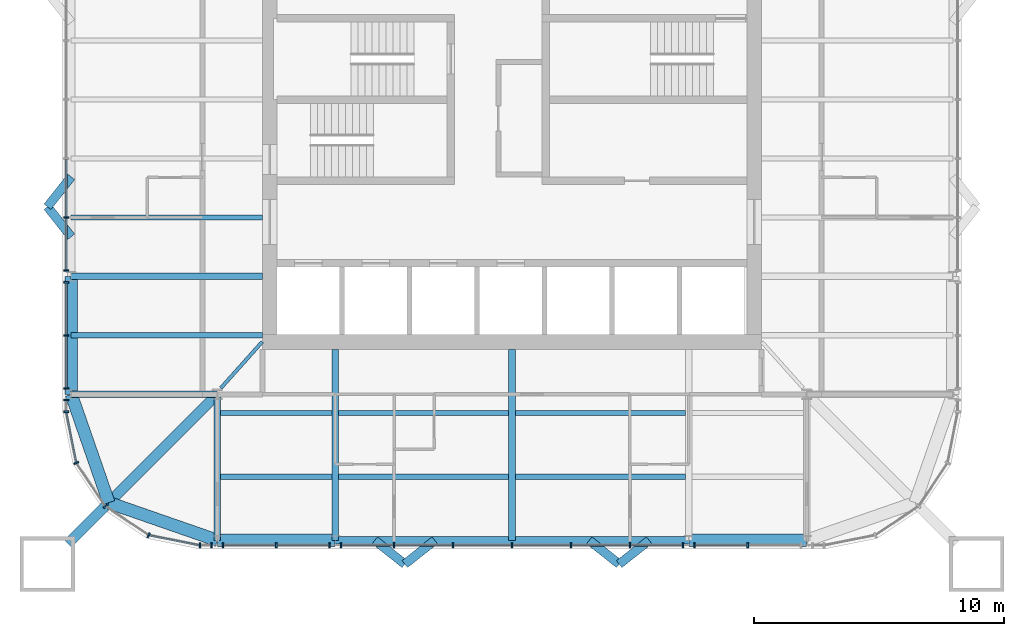
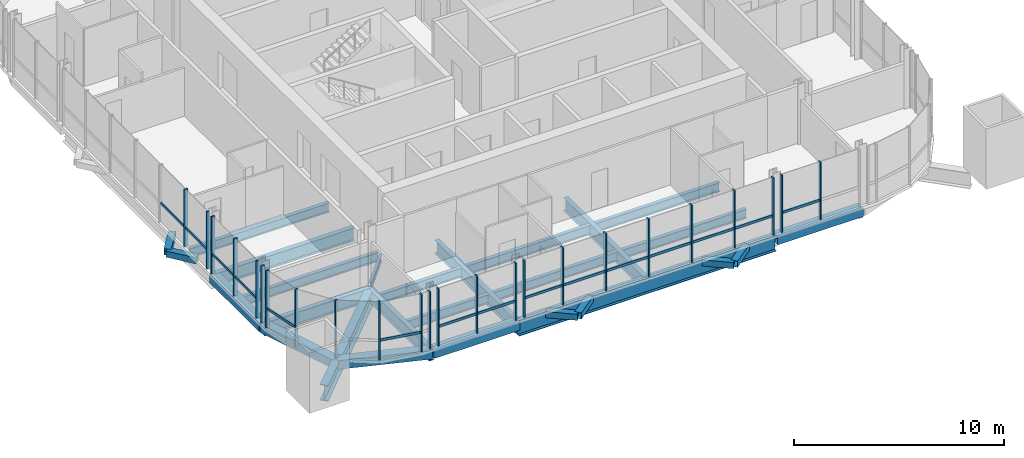
# One storey, part 2 of 17: 39 members, 27 beams, 8 elements without a shape of their own.
"""IFC4 building model written with IfcOpenShell, lengths in metres."""

from ifc_helpers import new_model, si_unit, direction, frame, origin, origin_2d, place, context, subcontext, project, spatial, rectangle, hollow_rectangle, i_section, extrude, material, material_profile, profile_set, type_object, element, aggregate, save


model = new_model("IFC4")

# Units and contexts
model_context = context("Model", 3, precision=1e-05, world=origin(), true_north=direction((0.0, 1.0)))
body_context = subcontext(model_context, "Body", "Model", "MODEL_VIEW")
ifc_project = project(units=[si_unit("LENGTHUNIT", "METRE"), si_unit("AREAUNIT", "SQUARE_METRE"), si_unit("VOLUMEUNIT", "CUBIC_METRE"), si_unit("PLANEANGLEUNIT", "RADIAN"), si_unit("MASSUNIT", "GRAM", prefix="KILO")], contexts=[model_context])

# Site, building, storey
site_placement = place(None, origin())
site = spatial("IfcSite", under=ifc_project, at=site_placement, CompositionType="ELEMENT")
building_placement = place(site_placement, origin())
building = spatial("IfcBuilding", under=site, at=building_placement, Name="Turquesa Mirador Hotel Tower", CompositionType="ELEMENT")
storey_placement = place(building_placement, frame((0.0, 0.0, 254.699951171875)))
storey = spatial("IfcBuildingStorey", under=building, at=storey_placement, Name="L69", CompositionType="ELEMENT", Elevation=254.699951171875)

# Beams
ifc_material_1 = material(Name="Steel ASTM A572 Grade 50", Category="steel")
ifc_material_profile_1 = material_profile(ifc_material_1, hollow_rectangle(XDim=0.5, YDim=0.5, WallThickness=0.01611328125, at=origin_2d()), Name="BOX500X500X16")
ifc_profile_set_1 = profile_set([ifc_material_profile_1], Name="Steel ASTM A572 Grade 50")
beam_type_1 = type_object("IfcBeamType", Name="BEAM BOX500X500X16", PredefinedType="BEAM", material=ifc_profile_set_1)
for number, where, z_axis, x_axis, name in (
    (1, (43.199951171875, 27.35009765625, -0.419921875), (1.0, 0.0, 0.0), (0.0, 1.0, 0.0), "EB-L69-S-L"),
    (2, (62.080078125, 27.35009765625, -0.419921875), (1.0, 0.0, 0.0), (0.0, 1.0, 0.0), "EB-L69-S-R"),
    (3, (37.35009765625, 33.199951171875, -0.419921875), (0.0, 1.0, 0.0), (-1.0, 0.0, 0.0), "EB-L69-W-L"),
):
    element("IfcBeam", number, at=place(storey_placement, frame(where, z_axis=z_axis, x_axis=x_axis)), inside=storey, type_object=beam_type_1, Name=name, PredefinedType="BEAM", context=body_context, shape_type="SweptSolid", body=[
        extrude(hollow_rectangle(XDim=0.5, YDim=0.5, WallThickness=0.01611328125, at=origin_2d()), origin(), (0.0, 0.0, 1.0), 4.719970703125),
    ])
for number, where, z_axis, x_axis, name in (
    (4, (37.35009765625, 33.199951171875, -0.419921875), (0.328170356092, -0.944618556552, 0.0), (0.944618556552, 0.328170356092, 0.0), "KE-L69-3-0"),
    (5, (38.8583984375, 28.8583984375, -0.419921875), (0.944618556552, -0.328170356092, 0.0), (0.328170356092, 0.944618556552, 0.0), "KE-L69-3-1"),
):
    element("IfcBeam", number, at=place(storey_placement, frame(where, z_axis=z_axis, x_axis=x_axis)), inside=storey, type_object=beam_type_1, Name=name, PredefinedType="BEAM", context=body_context, shape_type="SweptSolid", body=[
        extrude(hollow_rectangle(XDim=0.5, YDim=0.5, WallThickness=0.01611328125, at=origin_2d()), origin(), (0.0, 0.0, 1.0), 4.59619140625),
    ])
ifc_material_2 = material(Name="Steel ASTM A992 Grade 50", Category="steel")
ifc_material_profile_2 = material_profile(ifc_material_2, i_section(OverallWidth=0.140380859375, OverallDepth=0.40380859375, WebThickness=0.007080078125, FlangeThickness=0.01123046875, at=origin_2d()), Name="W16X31")
ifc_profile_set_2 = profile_set([ifc_material_profile_2], Name="Steel ASTM A992 Grade 50")
beam_type_2 = type_object("IfcBeamType", Name="BEAM W16X31", PredefinedType="BEAM", material=ifc_profile_set_2)
beam_1_placement = place(storey_placement, frame((43.343505859375, 33.44873046875, -0.371826171875), z_axis=(0.666806350186, 0.745231032198, 0.0), x_axis=(-0.745231032198, 0.666806350186, 0.0)))
element("IfcBeam", 6, at=beam_1_placement, inside=storey, type_object=beam_type_2, Name="KT-L69-3", PredefinedType="BEAM", context=body_context, shape_type="SweptSolid", body=[
    extrude(i_section(OverallWidth=0.140380859375, OverallDepth=0.40380859375, WebThickness=0.007080078125, FlangeThickness=0.01123046875, at=origin_2d()), origin(), (0.0, 0.0, 1.0), 2.484130859375),
])
ifc_material_3 = material(Name="Steel ASTM A992 Grade 50", Category="steel")
ifc_material_profile_3 = material_profile(ifc_material_3, i_section(OverallWidth=0.209228515625, OverallDepth=0.533447265625, WebThickness=0.01025390625, FlangeThickness=0.015625, at=origin_2d()), Name="W21X62")
ifc_profile_set_3 = profile_set([ifc_material_profile_3], Name="Steel ASTM A992 Grade 50")
beam_type_3 = type_object("IfcBeamType", Name="BEAM W21X62", PredefinedType="BEAM", material=ifc_profile_set_3)
beam_2_placement = place(storey_placement, frame((43.333251953125, 32.449951171875, -0.436767578125), z_axis=(1.0, 0.0, 0.0), x_axis=(0.0, 1.0, 0.0)))
element("IfcBeam", 7, at=beam_2_placement, inside=storey, type_object=beam_type_3, Name="IB-L69-S-1-0", PredefinedType="BEAM", context=body_context, shape_type="SweptSolid", body=[
    extrude(i_section(OverallWidth=0.209228515625, OverallDepth=0.533447265625, WebThickness=0.01025390625, FlangeThickness=0.015625, at=origin_2d()), origin(), (0.0, 0.0, 1.0), 4.453369140625),
])
for number, where, z_axis, x_axis, name in (
    (8, (48.053466796875, 32.449951171875, -0.436767578125), (1.0, 0.0, 0.0), (0.0, 1.0, 0.0), "IB-L69-S-1-1"),
    (9, (55.13330078125, 32.449951171875, -0.436767578125), (1.0, 0.0, 0.0), (0.0, 1.0, 0.0), "IB-L69-S-1-2"),
):
    element("IfcBeam", number, at=place(storey_placement, frame(where, z_axis=z_axis, x_axis=x_axis)), inside=storey, type_object=beam_type_3, Name=name, PredefinedType="BEAM", context=body_context, shape_type="SweptSolid", body=[
        extrude(i_section(OverallWidth=0.209228515625, OverallDepth=0.533447265625, WebThickness=0.01025390625, FlangeThickness=0.015625, at=origin_2d()), origin(), (0.0, 0.0, 1.0), 6.813232421875),
    ])
beam_3_placement = place(storey_placement, frame((43.333251953125, 29.89990234375, -0.436767578125), z_axis=(1.0, 0.0, 0.0), x_axis=(0.0, 1.0, 0.0)))
element("IfcBeam", 10, at=beam_3_placement, inside=storey, type_object=beam_type_3, Name="IB-L69-S-2-0", PredefinedType="BEAM", context=body_context, shape_type="SweptSolid", body=[
    extrude(i_section(OverallWidth=0.209228515625, OverallDepth=0.533447265625, WebThickness=0.01025390625, FlangeThickness=0.015625, at=origin_2d()), origin(), (0.0, 0.0, 1.0), 4.453369140625),
])
for number, where, z_axis, x_axis, name in (
    (11, (48.053466796875, 29.89990234375, -0.436767578125), (1.0, 0.0, 0.0), (0.0, 1.0, 0.0), "IB-L69-S-2-1"),
    (12, (55.13330078125, 29.89990234375, -0.436767578125), (1.0, 0.0, 0.0), (0.0, 1.0, 0.0), "IB-L69-S-2-2"),
):
    element("IfcBeam", number, at=place(storey_placement, frame(where, z_axis=z_axis, x_axis=x_axis)), inside=storey, type_object=beam_type_3, Name=name, PredefinedType="BEAM", context=body_context, shape_type="SweptSolid", body=[
        extrude(i_section(OverallWidth=0.209228515625, OverallDepth=0.533447265625, WebThickness=0.01025390625, FlangeThickness=0.015625, at=origin_2d()), origin(), (0.0, 0.0, 1.0), 6.813232421875),
    ])
for number, where, z_axis, x_axis, name in (
    (13, (37.35009765625, 35.56005859375, -0.436767578125), (1.0, 0.0, 0.0), (0.0, 1.0, 0.0), "BM-L69-W--9.44"),
    (14, (37.35009765625, 40.280029296875, -0.436767578125), (1.0, 0.0, 0.0), (0.0, 1.0, 0.0), "BM-L69-W--4.72"),
):
    element("IfcBeam", number, at=place(storey_placement, frame(where, z_axis=z_axis, x_axis=x_axis)), inside=storey, type_object=beam_type_3, Name=name, PredefinedType="BEAM", context=body_context, shape_type="SweptSolid", body=[
        extrude(i_section(OverallWidth=0.209228515625, OverallDepth=0.533447265625, WebThickness=0.01025390625, FlangeThickness=0.015625, at=origin_2d()), origin(), (0.0, 0.0, 1.0), 7.64990234375),
    ])
ifc_material_4 = material(Name="Steel ASTM A992 Grade 50", Category="steel")
ifc_material_profile_4 = material_profile(ifc_material_4, i_section(OverallWidth=0.2666015625, OverallDepth=0.7568359375, WebThickness=0.013916015625, FlangeThickness=0.019287109375, at=origin_2d()), Name="W30X108")
ifc_profile_set_4 = profile_set([ifc_material_profile_4], Name="Steel ASTM A992 Grade 50")
beam_type_4 = type_object("IfcBeamType", Name="BEAM W30X108", PredefinedType="BEAM", material=ifc_profile_set_4)
for number, where, z_axis, x_axis, name in (
    (15, (47.919921875, 27.35009765625, -0.54833984375), (0.0, 1.0, 0.0), (-1.0, 0.0, 0.0), "GD-L69-S--7.08"),
    (16, (55.0, 27.35009765625, -0.54833984375), (0.0, 1.0, 0.0), (-1.0, 0.0, 0.0), "GD-L69-S-+0.00"),
):
    element("IfcBeam", number, at=place(storey_placement, frame(where, z_axis=z_axis, x_axis=x_axis)), inside=storey, type_object=beam_type_4, Name=name, PredefinedType="BEAM", context=body_context, shape_type="SweptSolid", body=[
        extrude(i_section(OverallWidth=0.2666015625, OverallDepth=0.7568359375, WebThickness=0.013916015625, FlangeThickness=0.019287109375, at=origin_2d()), origin(), (0.0, 0.0, 1.0), 7.64990234375),
    ])
beam_4_placement = place(storey_placement, frame((43.199951171875, 27.35009765625, -0.54833984375), z_axis=(0.0, 1.0, 0.0), x_axis=(-1.0, 0.0, 0.0)))
element("IfcBeam", 17, at=beam_4_placement, inside=storey, type_object=beam_type_4, Name="GK-L69-S--11.80", PredefinedType="BEAM", context=body_context, shape_type="SweptSolid", body=[
    extrude(i_section(OverallWidth=0.2666015625, OverallDepth=0.7568359375, WebThickness=0.013916015625, FlangeThickness=0.019287109375, at=origin_2d()), origin(), (0.0, 0.0, 1.0), 5.849853515625),
])
beam_5_placement = place(storey_placement, frame((37.35009765625, 37.919921875, -0.54833984375), z_axis=(1.0, 0.0, 0.0), x_axis=(0.0, 1.0, 0.0)))
element("IfcBeam", 18, at=beam_5_placement, inside=storey, type_object=beam_type_4, Name="GD-L69-W--7.08", PredefinedType="BEAM", context=body_context, shape_type="SweptSolid", body=[
    extrude(i_section(OverallWidth=0.2666015625, OverallDepth=0.7568359375, WebThickness=0.013916015625, FlangeThickness=0.019287109375, at=origin_2d()), origin(), (0.0, 0.0, 1.0), 7.64990234375),
])
beam_6_placement = place(storey_placement, frame((37.35009765625, 33.199951171875, -0.54833984375), z_axis=(1.0, 0.0, 0.0), x_axis=(0.0, 1.0, 0.0)))
element("IfcBeam", 19, at=beam_6_placement, inside=storey, type_object=beam_type_4, Name="GK-L69-W--11.80", PredefinedType="BEAM", context=body_context, shape_type="SweptSolid", body=[
    extrude(i_section(OverallWidth=0.2666015625, OverallDepth=0.7568359375, WebThickness=0.013916015625, FlangeThickness=0.019287109375, at=origin_2d()), origin(), (0.0, 0.0, 1.0), 5.849853515625),
])
ifc_material_5 = material(Name="Steel ASTM A992 Grade 50", Category="steel")
ifc_material_profile_5 = material_profile(ifc_material_5, i_section(OverallWidth=0.3046875, OverallDepth=0.911865234375, WebThickness=0.015869140625, FlangeThickness=0.02392578125, at=origin_2d()), Name="W36X150")
ifc_profile_set_5 = profile_set([ifc_material_profile_5], Name="Steel ASTM A992 Grade 50")
beam_type_5 = type_object("IfcBeamType", Name="BEAM W36X150", PredefinedType="BEAM", material=ifc_profile_set_5)
beam_7_placement = place(storey_placement, frame((47.919921875, 27.35009765625, -0.6259765625), z_axis=(1.0, 0.0, 0.0), x_axis=(0.0, 1.0, 0.0)))
element("IfcBeam", 20, at=beam_7_placement, inside=storey, type_object=beam_type_5, Name="EB-L69-S-C", PredefinedType="BEAM", context=body_context, shape_type="SweptSolid", body=[
    extrude(i_section(OverallWidth=0.3046875, OverallDepth=0.911865234375, WebThickness=0.015869140625, FlangeThickness=0.02392578125, at=origin_2d()), origin(), (0.0, 0.0, 1.0), 14.16015625),
])
ifc_material_6 = material(Name="Steel ASTM A992 Grade 50", Category="steel")
ifc_material_profile_6 = material_profile(ifc_material_6, i_section(OverallWidth=0.419189453125, OverallDepth=0.927001953125, WebThickness=0.019287109375, FlangeThickness=0.031982421875, at=origin_2d()), Name="W36X231")
ifc_profile_set_6 = profile_set([ifc_material_profile_6], Name="Steel ASTM A992 Grade 50")
beam_type_6 = type_object("IfcBeamType", Name="BEAM W36X231", PredefinedType="BEAM", material=ifc_profile_set_6)
beam_8_placement = place(storey_placement, frame((43.199951171875, 33.199951171875, -0.633544921875), z_axis=(-0.707106781187, -0.707106781187, 0.0), x_axis=(0.707106781187, -0.707106781187, 0.0)))
element("IfcBeam", 21, at=beam_8_placement, inside=storey, type_object=beam_type_6, Name="KD-L69-3", PredefinedType="BEAM", context=body_context, shape_type="SweptSolid", body=[
    extrude(i_section(OverallWidth=0.419189453125, OverallDepth=0.927001953125, WebThickness=0.019287109375, FlangeThickness=0.031982421875, at=origin_2d()), origin(), (0.0, 0.0, 1.0), 8.46240234375),
])
ifc_material_7 = material(Name="Steel ASTM A500 Grade C", Category="steel")
ifc_material_profile_7 = material_profile(ifc_material_7, hollow_rectangle(XDim=0.355712890625, YDim=0.355712890625, WallThickness=0.0146484375, at=origin_2d()), Name="HSS14X14X5/8")
ifc_profile_set_7 = profile_set([ifc_material_profile_7], Name="Steel ASTM A500 Grade C")
beam_type_7 = type_object("IfcBeamType", Name="BRACE STRUT HSS14X14X5/8", PredefinedType="BEAM", material=ifc_profile_set_7)
for number, where, z_axis, x_axis, name in (
    (22, (59.292236328125, 26.39990234375, -0.34765625), (-0.783971428146, 0.620796907089, 0.0), (-0.620796907089, -0.783971428146, 0.0), "Brace strut"),
    (23, (59.292236328125, 26.39990234375, -0.34765625), (0.783971428146, 0.620796907089, 0.0), (-0.620796907089, 0.783971428146, 0.0), "Brace strut"),
    (24, (50.707763671875, 26.39990234375, -0.34765625), (-0.783971428146, 0.620796907089, 0.0), (-0.620796907089, -0.783971428146, 0.0), "Brace strut"),
    (25, (50.707763671875, 26.39990234375, -0.34765625), (0.783971428146, 0.620796907089, 0.0), (-0.620796907089, 0.783971428146, 0.0), "Brace strut"),
    (26, (36.39990234375, 40.707763671875, -0.34765625), (0.620796907089, -0.783971428146, 0.0), (0.783971428146, 0.620796907089, 0.0), "Brace strut"),
    (27, (36.39990234375, 40.707763671875, -0.34765625), (0.620796907089, 0.783971428146, 0.0), (-0.783971428146, 0.620796907089, 0.0), "Brace strut"),
):
    element("IfcBeam", number, at=place(storey_placement, frame(where, z_axis=z_axis, x_axis=x_axis)), inside=storey, type_object=beam_type_7, Name=name, PredefinedType="BEAM", context=body_context, shape_type="SweptSolid", body=[
        extrude(hollow_rectangle(XDim=0.355712890625, YDim=0.355712890625, WallThickness=0.0146484375, at=origin_2d()), origin(), (0.0, 0.0, 1.0), 1.530517578125),
    ])

# Curtain wall, members
ifc_material_8 = material(Name="Aluminium extrusion", Category="aluminium")
curtain_wall_type = type_object("IfcCurtainWallType", Name="CW-4 SUITE FRITTED CURTAIN WALL", PredefinedType="USERDEFINED", material=ifc_material_8)
curtain_wall_1_placement = place(storey_placement, origin())
curtain_wall_1 = element("IfcCurtainWall", 28, at=curtain_wall_1_placement, inside=storey, type_object=curtain_wall_type, Name="CW-4 SUITE FRITTED CURTAIN WALL L69", ObjectType="CURTAIN WALL", PredefinedType="USERDEFINED")
ifc_material_9 = material(Name="Aluminium extrusion", Category="aluminium")
ifc_material_profile_8 = material_profile(ifc_material_9, rectangle(XDim=0.06494140625, YDim=0.199951171875, at=origin_2d()), Name="MULLION 65X200")
ifc_profile_set_8 = profile_set([ifc_material_profile_8], Name="Aluminium extrusion")
member_type_1 = type_object("IfcMemberType", Name="CW MULLION 65X200", PredefinedType="MULLION", material=ifc_profile_set_8)
member_1_placement = place(storey_placement, frame((37.14990234375, 40.280029296875, 0.0), z_axis=(0.0, 0.0, 1.0), x_axis=(0.0, -1.0, 0.0)))
member_1 = element("IfcMember", 29, at=member_1_placement, type_object=member_type_1, Name="Mullion", PredefinedType="MULLION", context=body_context, shape_type="SweptSolid", body=[
    extrude(rectangle(XDim=0.06494140625, YDim=0.199951171875, at=origin_2d()), origin(), (0.0, 0.0, 1.0), 3.330078125),
])
member_2_placement = place(storey_placement, frame((37.14990234375, 38.15380859375, 0.0), z_axis=(0.0, 0.0, 1.0), x_axis=(0.0, -1.0, 0.0)))
member_2 = element("IfcMember", 30, at=member_2_placement, type_object=member_type_1, Name="Mullion", PredefinedType="MULLION", context=body_context, shape_type="SweptSolid", body=[
    extrude(rectangle(XDim=0.06494140625, YDim=0.199951171875, at=origin_2d()), origin(), (0.0, 0.0, 1.0), 3.330078125),
])

curtain_wall_2_placement = place(storey_placement, origin())
curtain_wall_2 = element("IfcCurtainWall", 31, at=curtain_wall_2_placement, inside=storey, type_object=curtain_wall_type, Name="CW-4 SUITE FRITTED CURTAIN WALL L69", ObjectType="CURTAIN WALL", PredefinedType="USERDEFINED")
member_3_placement = place(storey_placement, frame((37.14990234375, 37.68603515625, 0.0), z_axis=(0.0, 0.0, 1.0), x_axis=(0.0, -1.0, 0.0)))
member_3 = element("IfcMember", 32, at=member_3_placement, type_object=member_type_1, Name="Mullion", PredefinedType="MULLION", context=body_context, shape_type="SweptSolid", body=[
    extrude(rectangle(XDim=0.06494140625, YDim=0.199951171875, at=origin_2d()), origin(), (0.0, 0.0, 1.0), 3.330078125),
])
member_4_placement = place(storey_placement, frame((37.14990234375, 35.56005859375, 0.0), z_axis=(0.0, 0.0, 1.0), x_axis=(0.0, -1.0, 0.0)))
member_4 = element("IfcMember", 33, at=member_4_placement, type_object=member_type_1, Name="Mullion", PredefinedType="MULLION", context=body_context, shape_type="SweptSolid", body=[
    extrude(rectangle(XDim=0.06494140625, YDim=0.199951171875, at=origin_2d()), origin(), (0.0, 0.0, 1.0), 3.330078125),
])
member_5_placement = place(storey_placement, frame((37.14990234375, 33.433837890625, 0.0), z_axis=(0.0, 0.0, 1.0), x_axis=(0.0, -1.0, 0.0)))
member_5 = element("IfcMember", 34, at=member_5_placement, type_object=member_type_1, Name="Mullion", PredefinedType="MULLION", context=body_context, shape_type="SweptSolid", body=[
    extrude(rectangle(XDim=0.06494140625, YDim=0.199951171875, at=origin_2d()), origin(), (0.0, 0.0, 1.0), 3.330078125),
])

curtain_wall_3_placement = place(storey_placement, origin())
curtain_wall_3 = element("IfcCurtainWall", 35, at=curtain_wall_3_placement, inside=storey, type_object=curtain_wall_type, Name="CW-4 SUITE FRITTED CURTAIN WALL L69", ObjectType="CURTAIN WALL", PredefinedType="USERDEFINED")
member_6_placement = place(storey_placement, frame((37.14990234375, 32.966064453125, 0.0), z_axis=(0.0, 0.0, 1.0), x_axis=(0.0, -1.0, 0.0)))
member_6 = element("IfcMember", 36, at=member_6_placement, type_object=member_type_1, Name="Mullion", PredefinedType="MULLION", context=body_context, shape_type="SweptSolid", body=[
    extrude(rectangle(XDim=0.06494140625, YDim=0.199951171875, at=origin_2d()), origin(), (0.0, 0.0, 1.0), 3.330078125),
])
member_7_placement = place(storey_placement, frame((37.14990234375, 32.5, 0.0), z_axis=(0.0, 0.0, 1.0), x_axis=(0.0, -1.0, 0.0)))
member_7 = element("IfcMember", 37, at=member_7_placement, type_object=member_type_1, Name="Mullion", PredefinedType="MULLION", context=body_context, shape_type="SweptSolid", body=[
    extrude(rectangle(XDim=0.06494140625, YDim=0.199951171875, at=origin_2d()), origin(), (0.0, 0.0, 1.0), 3.330078125),
])
aggregate(curtain_wall_3, [member_6, member_7])

curtain_wall_4_placement = place(storey_placement, origin())
curtain_wall_4 = element("IfcCurtainWall", 38, at=curtain_wall_4_placement, inside=storey, type_object=curtain_wall_type, Name="CW-4 SUITE FRITTED CURTAIN WALL L69", ObjectType="CURTAIN WALL", PredefinedType="USERDEFINED")
member_8_placement = place(storey_placement, frame((37.55712890625, 30.45263671875, 0.0), z_axis=(0.0, 0.0, 1.0), x_axis=(0.382683432365, -0.923879532511, 0.0)))
member_8 = element("IfcMember", 39, at=member_8_placement, type_object=member_type_1, Name="Mullion", PredefinedType="MULLION", context=body_context, shape_type="SweptSolid", body=[
    extrude(rectangle(XDim=0.06494140625, YDim=0.199951171875, at=origin_2d()), origin(), (0.0, 0.0, 1.0), 3.330078125),
])
member_9_placement = place(storey_placement, frame((38.717041015625, 28.717041015625, 0.0), z_axis=(0.0, 0.0, 1.0), x_axis=(0.707106781187, -0.707106781187, 0.0)))
member_9 = element("IfcMember", 40, at=member_9_placement, type_object=member_type_1, Name="Mullion", PredefinedType="MULLION", context=body_context, shape_type="SweptSolid", body=[
    extrude(rectangle(XDim=0.06494140625, YDim=0.199951171875, at=origin_2d()), origin(), (0.0, 0.0, 1.0), 3.330078125),
])
member_10_placement = place(storey_placement, frame((40.45263671875, 27.55712890625, 0.0), z_axis=(0.0, 0.0, 1.0), x_axis=(0.923879532511, -0.382683432365, 0.0)))
member_10 = element("IfcMember", 41, at=member_10_placement, type_object=member_type_1, Name="Mullion", PredefinedType="MULLION", context=body_context, shape_type="SweptSolid", body=[
    extrude(rectangle(XDim=0.06494140625, YDim=0.199951171875, at=origin_2d()), origin(), (0.0, 0.0, 1.0), 3.330078125),
])

curtain_wall_5_placement = place(storey_placement, origin())
curtain_wall_5 = element("IfcCurtainWall", 42, at=curtain_wall_5_placement, inside=storey, type_object=curtain_wall_type, Name="CW-4 SUITE FRITTED CURTAIN WALL L69", ObjectType="CURTAIN WALL", PredefinedType="USERDEFINED")
member_11_placement = place(storey_placement, frame((42.5, 27.14990234375, 0.0), z_axis=(0.0, 0.0, 1.0), x_axis=(1.0, 0.0, 0.0)))
member_11 = element("IfcMember", 43, at=member_11_placement, type_object=member_type_1, Name="Mullion", PredefinedType="MULLION", context=body_context, shape_type="SweptSolid", body=[
    extrude(rectangle(XDim=0.06494140625, YDim=0.199951171875, at=origin_2d()), origin(), (0.0, 0.0, 1.0), 3.330078125),
])
member_12_placement = place(storey_placement, frame((42.966064453125, 27.14990234375, 0.0), z_axis=(0.0, 0.0, 1.0), x_axis=(1.0, 0.0, 0.0)))
member_12 = element("IfcMember", 44, at=member_12_placement, type_object=member_type_1, Name="Mullion", PredefinedType="MULLION", context=body_context, shape_type="SweptSolid", body=[
    extrude(rectangle(XDim=0.06494140625, YDim=0.199951171875, at=origin_2d()), origin(), (0.0, 0.0, 1.0), 3.330078125),
])
aggregate(curtain_wall_5, [member_11, member_12])

curtain_wall_6_placement = place(storey_placement, origin())
curtain_wall_6 = element("IfcCurtainWall", 45, at=curtain_wall_6_placement, inside=storey, type_object=curtain_wall_type, Name="CW-4 SUITE FRITTED CURTAIN WALL L69", ObjectType="CURTAIN WALL", PredefinedType="USERDEFINED")
member_13_placement = place(storey_placement, frame((43.433837890625, 27.14990234375, 0.0), z_axis=(0.0, 0.0, 1.0), x_axis=(1.0, 0.0, 0.0)))
member_13 = element("IfcMember", 46, at=member_13_placement, type_object=member_type_1, Name="Mullion", PredefinedType="MULLION", context=body_context, shape_type="SweptSolid", body=[
    extrude(rectangle(XDim=0.06494140625, YDim=0.199951171875, at=origin_2d()), origin(), (0.0, 0.0, 1.0), 3.330078125),
])
member_14_placement = place(storey_placement, frame((45.56005859375, 27.14990234375, 0.0), z_axis=(0.0, 0.0, 1.0), x_axis=(1.0, 0.0, 0.0)))
member_14 = element("IfcMember", 47, at=member_14_placement, type_object=member_type_1, Name="Mullion", PredefinedType="MULLION", context=body_context, shape_type="SweptSolid", body=[
    extrude(rectangle(XDim=0.06494140625, YDim=0.199951171875, at=origin_2d()), origin(), (0.0, 0.0, 1.0), 3.330078125),
])
member_15_placement = place(storey_placement, frame((47.68603515625, 27.14990234375, 0.0), z_axis=(0.0, 0.0, 1.0), x_axis=(1.0, 0.0, 0.0)))
member_15 = element("IfcMember", 48, at=member_15_placement, type_object=member_type_1, Name="Mullion", PredefinedType="MULLION", context=body_context, shape_type="SweptSolid", body=[
    extrude(rectangle(XDim=0.06494140625, YDim=0.199951171875, at=origin_2d()), origin(), (0.0, 0.0, 1.0), 3.330078125),
])

curtain_wall_7_placement = place(storey_placement, origin())
curtain_wall_7 = element("IfcCurtainWall", 49, at=curtain_wall_7_placement, inside=storey, type_object=curtain_wall_type, Name="CW-4 SUITE FRITTED CURTAIN WALL L69", ObjectType="CURTAIN WALL", PredefinedType="USERDEFINED")
member_16_placement = place(storey_placement, frame((48.15380859375, 27.14990234375, 0.0), z_axis=(0.0, 0.0, 1.0), x_axis=(1.0, 0.0, 0.0)))
member_16 = element("IfcMember", 50, at=member_16_placement, type_object=member_type_1, Name="Mullion", PredefinedType="MULLION", context=body_context, shape_type="SweptSolid", body=[
    extrude(rectangle(XDim=0.06494140625, YDim=0.199951171875, at=origin_2d()), origin(), (0.0, 0.0, 1.0), 3.330078125),
])
member_17_placement = place(storey_placement, frame((50.280029296875, 27.14990234375, 0.0), z_axis=(0.0, 0.0, 1.0), x_axis=(1.0, 0.0, 0.0)))
member_17 = element("IfcMember", 51, at=member_17_placement, type_object=member_type_1, Name="Mullion", PredefinedType="MULLION", context=body_context, shape_type="SweptSolid", body=[
    extrude(rectangle(XDim=0.06494140625, YDim=0.199951171875, at=origin_2d()), origin(), (0.0, 0.0, 1.0), 3.330078125),
])
member_18_placement = place(storey_placement, frame((52.639892578125, 27.14990234375, 0.0), z_axis=(0.0, 0.0, 1.0), x_axis=(1.0, 0.0, 0.0)))
member_18 = element("IfcMember", 52, at=member_18_placement, type_object=member_type_1, Name="Mullion", PredefinedType="MULLION", context=body_context, shape_type="SweptSolid", body=[
    extrude(rectangle(XDim=0.06494140625, YDim=0.199951171875, at=origin_2d()), origin(), (0.0, 0.0, 1.0), 3.330078125),
])
member_19_placement = place(storey_placement, frame((55.0, 27.14990234375, 0.0), z_axis=(0.0, 0.0, 1.0), x_axis=(1.0, 0.0, 0.0)))
member_19 = element("IfcMember", 53, at=member_19_placement, type_object=member_type_1, Name="Mullion", PredefinedType="MULLION", context=body_context, shape_type="SweptSolid", body=[
    extrude(rectangle(XDim=0.06494140625, YDim=0.199951171875, at=origin_2d()), origin(), (0.0, 0.0, 1.0), 3.330078125),
])
member_20_placement = place(storey_placement, frame((57.360107421875, 27.14990234375, 0.0), z_axis=(0.0, 0.0, 1.0), x_axis=(1.0, 0.0, 0.0)))
member_20 = element("IfcMember", 54, at=member_20_placement, type_object=member_type_1, Name="Mullion", PredefinedType="MULLION", context=body_context, shape_type="SweptSolid", body=[
    extrude(rectangle(XDim=0.06494140625, YDim=0.199951171875, at=origin_2d()), origin(), (0.0, 0.0, 1.0), 3.330078125),
])
member_21_placement = place(storey_placement, frame((59.719970703125, 27.14990234375, 0.0), z_axis=(0.0, 0.0, 1.0), x_axis=(1.0, 0.0, 0.0)))
member_21 = element("IfcMember", 55, at=member_21_placement, type_object=member_type_1, Name="Mullion", PredefinedType="MULLION", context=body_context, shape_type="SweptSolid", body=[
    extrude(rectangle(XDim=0.06494140625, YDim=0.199951171875, at=origin_2d()), origin(), (0.0, 0.0, 1.0), 3.330078125),
])
member_22_placement = place(storey_placement, frame((61.84619140625, 27.14990234375, 0.0), z_axis=(0.0, 0.0, 1.0), x_axis=(1.0, 0.0, 0.0)))
member_22 = element("IfcMember", 56, at=member_22_placement, type_object=member_type_1, Name="Mullion", PredefinedType="MULLION", context=body_context, shape_type="SweptSolid", body=[
    extrude(rectangle(XDim=0.06494140625, YDim=0.199951171875, at=origin_2d()), origin(), (0.0, 0.0, 1.0), 3.330078125),
])

curtain_wall_8_placement = place(storey_placement, origin())
curtain_wall_8 = element("IfcCurtainWall", 57, at=curtain_wall_8_placement, inside=storey, type_object=curtain_wall_type, Name="CW-4 SUITE FRITTED CURTAIN WALL L69", ObjectType="CURTAIN WALL", PredefinedType="USERDEFINED")
member_23_placement = place(storey_placement, frame((62.31396484375, 27.14990234375, 0.0), z_axis=(0.0, 0.0, 1.0), x_axis=(1.0, 0.0, 0.0)))
member_23 = element("IfcMember", 58, at=member_23_placement, type_object=member_type_1, Name="Mullion", PredefinedType="MULLION", context=body_context, shape_type="SweptSolid", body=[
    extrude(rectangle(XDim=0.06494140625, YDim=0.199951171875, at=origin_2d()), origin(), (0.0, 0.0, 1.0), 3.330078125),
])
member_24_placement = place(storey_placement, frame((64.43994140625, 27.14990234375, 0.0), z_axis=(0.0, 0.0, 1.0), x_axis=(1.0, 0.0, 0.0)))
member_24 = element("IfcMember", 59, at=member_24_placement, type_object=member_type_1, Name="Mullion", PredefinedType="MULLION", context=body_context, shape_type="SweptSolid", body=[
    extrude(rectangle(XDim=0.06494140625, YDim=0.199951171875, at=origin_2d()), origin(), (0.0, 0.0, 1.0), 3.330078125),
])

# Member
ifc_material_10 = material(Name="Aluminium extrusion", Category="aluminium")
ifc_material_profile_9 = material_profile(ifc_material_10, rectangle(XDim=0.06494140625, YDim=0.14990234375, at=origin_2d()), Name="TRANSOM 65X150")
ifc_profile_set_9 = profile_set([ifc_material_profile_9], Name="Aluminium extrusion")
member_type_2 = type_object("IfcMemberType", Name="CW TRANSOM 65X150", PredefinedType="USERDEFINED", material=ifc_profile_set_9)
member_25_placement = place(storey_placement, frame((37.14990234375, 42.607421875, 1.10009765625), z_axis=(0.0, -1.0, 0.0), x_axis=(1.0, 0.0, 0.0)))
member_25 = element("IfcMember", 60, at=member_25_placement, type_object=member_type_2, Name="Transom", ObjectType="TRANSOM", PredefinedType="USERDEFINED", context=body_context, shape_type="SweptSolid", body=[
    extrude(rectangle(XDim=0.06494140625, YDim=0.14990234375, at=origin_2d()), origin(), (0.0, 0.0, 1.0), 2.294921875),
])

member_26_placement = place(storey_placement, frame((37.14990234375, 40.24755859375, 1.10009765625), z_axis=(0.0, -1.0, 0.0), x_axis=(1.0, 0.0, 0.0)))
member_26 = element("IfcMember", 61, at=member_26_placement, type_object=member_type_2, Name="Transom", ObjectType="TRANSOM", PredefinedType="USERDEFINED", context=body_context, shape_type="SweptSolid", body=[
    extrude(rectangle(XDim=0.06494140625, YDim=0.14990234375, at=origin_2d()), origin(), (0.0, 0.0, 1.0), 2.061279296875),
])

aggregate(curtain_wall_1, [member_1, member_2, member_25, member_26])

member_27_placement = place(storey_placement, frame((37.14990234375, 37.653564453125, 1.10009765625), z_axis=(0.0, -1.0, 0.0), x_axis=(1.0, 0.0, 0.0)))
member_27 = element("IfcMember", 62, at=member_27_placement, type_object=member_type_2, Name="Transom", ObjectType="TRANSOM", PredefinedType="USERDEFINED", context=body_context, shape_type="SweptSolid", body=[
    extrude(rectangle(XDim=0.06494140625, YDim=0.14990234375, at=origin_2d()), origin(), (0.0, 0.0, 1.0), 2.06103515625),
])

member_28_placement = place(storey_placement, frame((37.14990234375, 35.527587890625, 1.10009765625), z_axis=(0.0, -1.0, 0.0), x_axis=(1.0, 0.0, 0.0)))
member_28 = element("IfcMember", 63, at=member_28_placement, type_object=member_type_2, Name="Transom", ObjectType="TRANSOM", PredefinedType="USERDEFINED", context=body_context, shape_type="SweptSolid", body=[
    extrude(rectangle(XDim=0.06494140625, YDim=0.14990234375, at=origin_2d()), origin(), (0.0, 0.0, 1.0), 2.061279296875),
])

aggregate(curtain_wall_2, [member_3, member_4, member_5, member_27, member_28])

member_29_placement = place(storey_placement, frame((37.15625, 32.468017578125, 1.10009765625), z_axis=(0.195210621934, -0.980761343592, 0.0), x_axis=(0.980761343592, 0.195210621934, 0.0)))
member_29 = element("IfcMember", 64, at=member_29_placement, type_object=member_type_2, Name="Transom", ObjectType="TRANSOM", PredefinedType="USERDEFINED", context=body_context, shape_type="SweptSolid", body=[
    extrude(rectangle(XDim=0.06494140625, YDim=0.14990234375, at=origin_2d()), origin(), (0.0, 0.0, 1.0), 2.022216796875),
])

member_30_placement = place(storey_placement, frame((40.484619140625, 27.551025390625, 1.10009765625), z_axis=(0.980761343592, -0.195210621934, 0.0), x_axis=(0.195210621934, 0.980761343592, 0.0)))
member_30 = element("IfcMember", 65, at=member_30_placement, type_object=member_type_2, Name="Transom", ObjectType="TRANSOM", PredefinedType="USERDEFINED", context=body_context, shape_type="SweptSolid", body=[
    extrude(rectangle(XDim=0.06494140625, YDim=0.14990234375, at=origin_2d()), origin(), (0.0, 0.0, 1.0), 2.022216796875),
])

aggregate(curtain_wall_4, [member_8, member_9, member_10, member_29, member_30])

member_31_placement = place(storey_placement, frame((43.46630859375, 27.14990234375, 1.10009765625), z_axis=(1.0, 0.0, 0.0), x_axis=(0.0, 1.0, 0.0)))
member_31 = element("IfcMember", 66, at=member_31_placement, type_object=member_type_2, Name="Transom", ObjectType="TRANSOM", PredefinedType="USERDEFINED", context=body_context, shape_type="SweptSolid", body=[
    extrude(rectangle(XDim=0.06494140625, YDim=0.14990234375, at=origin_2d()), origin(), (0.0, 0.0, 1.0), 2.061279296875),
])

member_32_placement = place(storey_placement, frame((45.592529296875, 27.14990234375, 1.10009765625), z_axis=(1.0, 0.0, 0.0), x_axis=(0.0, 1.0, 0.0)))
member_32 = element("IfcMember", 67, at=member_32_placement, type_object=member_type_2, Name="Transom", ObjectType="TRANSOM", PredefinedType="USERDEFINED", context=body_context, shape_type="SweptSolid", body=[
    extrude(rectangle(XDim=0.06494140625, YDim=0.14990234375, at=origin_2d()), origin(), (0.0, 0.0, 1.0), 2.06103515625),
])

aggregate(curtain_wall_6, [member_13, member_14, member_15, member_31, member_32])

member_33_placement = place(storey_placement, frame((48.186279296875, 27.14990234375, 1.10009765625), z_axis=(1.0, 0.0, 0.0), x_axis=(0.0, 1.0, 0.0)))
member_33 = element("IfcMember", 68, at=member_33_placement, type_object=member_type_2, Name="Transom", ObjectType="TRANSOM", PredefinedType="USERDEFINED", context=body_context, shape_type="SweptSolid", body=[
    extrude(rectangle(XDim=0.06494140625, YDim=0.14990234375, at=origin_2d()), origin(), (0.0, 0.0, 1.0), 2.061279296875),
])

member_34_placement = place(storey_placement, frame((50.3125, 27.14990234375, 1.10009765625), z_axis=(1.0, 0.0, 0.0), x_axis=(0.0, 1.0, 0.0)))
member_34 = element("IfcMember", 69, at=member_34_placement, type_object=member_type_2, Name="Transom", ObjectType="TRANSOM", PredefinedType="USERDEFINED", context=body_context, shape_type="SweptSolid", body=[
    extrude(rectangle(XDim=0.06494140625, YDim=0.14990234375, at=origin_2d()), origin(), (0.0, 0.0, 1.0), 2.294921875),
])

member_35_placement = place(storey_placement, frame((52.672607421875, 27.14990234375, 1.10009765625), z_axis=(1.0, 0.0, 0.0), x_axis=(0.0, 1.0, 0.0)))
member_35 = element("IfcMember", 70, at=member_35_placement, type_object=member_type_2, Name="Transom", ObjectType="TRANSOM", PredefinedType="USERDEFINED", context=body_context, shape_type="SweptSolid", body=[
    extrude(rectangle(XDim=0.06494140625, YDim=0.14990234375, at=origin_2d()), origin(), (0.0, 0.0, 1.0), 2.294921875),
])

member_36_placement = place(storey_placement, frame((55.032470703125, 27.14990234375, 1.10009765625), z_axis=(1.0, 0.0, 0.0), x_axis=(0.0, 1.0, 0.0)))
member_36 = element("IfcMember", 71, at=member_36_placement, type_object=member_type_2, Name="Transom", ObjectType="TRANSOM", PredefinedType="USERDEFINED", context=body_context, shape_type="SweptSolid", body=[
    extrude(rectangle(XDim=0.06494140625, YDim=0.14990234375, at=origin_2d()), origin(), (0.0, 0.0, 1.0), 2.294921875),
])

member_37_placement = place(storey_placement, frame((57.392578125, 27.14990234375, 1.10009765625), z_axis=(1.0, 0.0, 0.0), x_axis=(0.0, 1.0, 0.0)))
member_37 = element("IfcMember", 72, at=member_37_placement, type_object=member_type_2, Name="Transom", ObjectType="TRANSOM", PredefinedType="USERDEFINED", context=body_context, shape_type="SweptSolid", body=[
    extrude(rectangle(XDim=0.06494140625, YDim=0.14990234375, at=origin_2d()), origin(), (0.0, 0.0, 1.0), 2.294921875),
])

member_38_placement = place(storey_placement, frame((59.75244140625, 27.14990234375, 1.10009765625), z_axis=(1.0, 0.0, 0.0), x_axis=(0.0, 1.0, 0.0)))
member_38 = element("IfcMember", 73, at=member_38_placement, type_object=member_type_2, Name="Transom", ObjectType="TRANSOM", PredefinedType="USERDEFINED", context=body_context, shape_type="SweptSolid", body=[
    extrude(rectangle(XDim=0.06494140625, YDim=0.14990234375, at=origin_2d()), origin(), (0.0, 0.0, 1.0), 2.061279296875),
])

aggregate(curtain_wall_7, [member_16, member_17, member_18, member_19, member_20, member_21, member_22, member_33, member_34, member_35, member_36, member_37, member_38])

member_39_placement = place(storey_placement, frame((62.346435546875, 27.14990234375, 1.10009765625), z_axis=(1.0, 0.0, 0.0), x_axis=(0.0, 1.0, 0.0)))
member_39 = element("IfcMember", 74, at=member_39_placement, type_object=member_type_2, Name="Transom", ObjectType="TRANSOM", PredefinedType="USERDEFINED", context=body_context, shape_type="SweptSolid", body=[
    extrude(rectangle(XDim=0.06494140625, YDim=0.14990234375, at=origin_2d()), origin(), (0.0, 0.0, 1.0), 2.06103515625),
])

aggregate(curtain_wall_8, [member_23, member_24, member_39])

save(model, "model.ifc")
